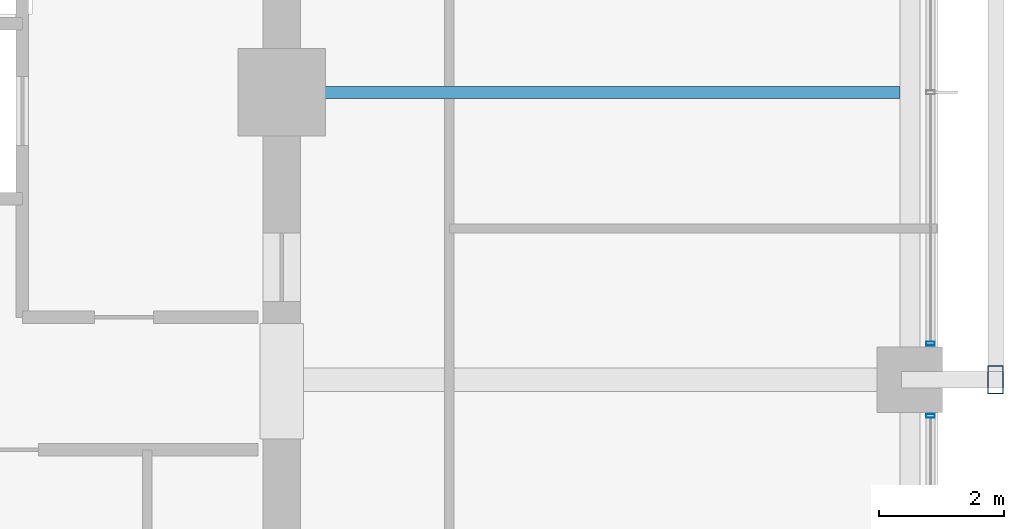
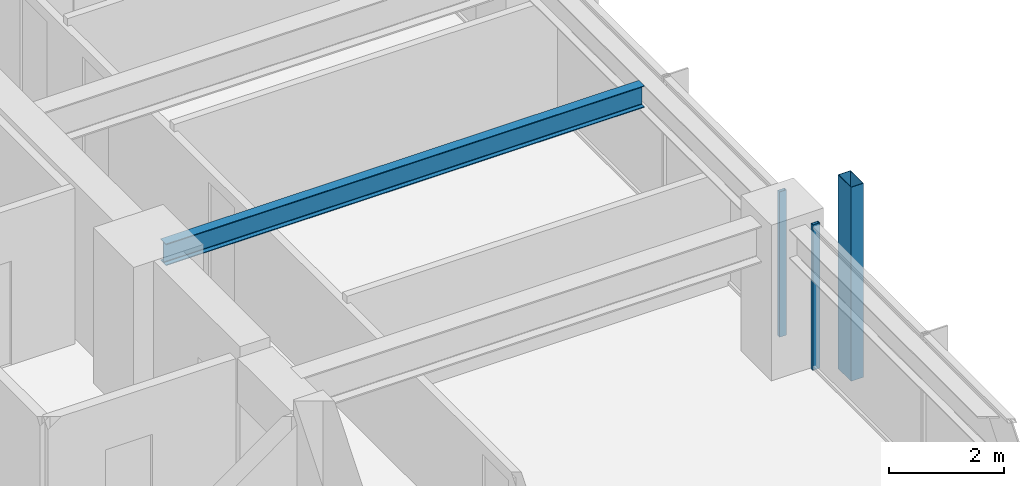
# One storey, part 15 of 38: 3 members, 1 beam, 2 elements without a shape of their own.
"""IFC4 building model written with IfcOpenShell, lengths in metres."""

import ifcopenshell
import ifcopenshell.guid

model = None  # the IFC model being written
_history = None  # IfcOwnerHistory: only IFC2X3 demands one
_inside = {}  # id of a spatial element -> (the spatial element, [elements in it])
_under = {}  # id of a project, library or spatial element -> (it, [spatial elements below it])
_declared = {}  # id of a project -> (the project, [libraries it declares])
_typed = {}  # id of a type object -> (the type object, [elements of that type])
_made_of = {}  # id of a material, layer set ... -> (it, [elements and type objects made of it])


def new_model(schema):
    """Start an empty IFC model of exactly this schema.

    Asked for "IFC4X3", IfcOpenShell would pick the latest addendum, in which some entities
    have other attributes; the version numbers below select the first issue.
    IFC2X3 requires an IfcOwnerHistory on every rooted entity: one is made here for all.
    """
    global model, _history
    if schema == "IFC4X3":
        model = ifcopenshell.file(schema_version=(4, 3, 0, 0))
    else:
        model = ifcopenshell.file(schema=schema)
    _inside.clear()
    _under.clear()
    _declared.clear()
    _typed.clear()
    _made_of.clear()
    _history = None
    if model.schema == "IFC2X3":
        org = make("IfcOrganization", Name="unknown")
        user = make(
            "IfcPersonAndOrganization",
            ThePerson=make("IfcPerson", FamilyName="unknown"),
            TheOrganization=org,
        )
        app = make(
            "IfcApplication",
            ApplicationDeveloper=org,
            Version="unknown",
            ApplicationFullName="unknown",
            ApplicationIdentifier="unknown",
        )
        _history = make(
            "IfcOwnerHistory",
            OwningUser=user,
            OwningApplication=app,
            ChangeAction="ADDED",
            CreationDate=0,
        )
    return model


def make(cls, **values):
    """One entity of the class cls with the attributes given. An attribute that is None is left unset."""
    return model.create_entity(
        cls, **{name: value for name, value in values.items() if value is not None}
    )


def rooted(cls, **values):
    """An entity with a GlobalId (a new one), such as an element, a storey or a relation."""
    return make(cls, GlobalId=ifcopenshell.guid.new(), OwnerHistory=_history, **values)


def si_unit(unit_type, name, prefix=None):
    """IfcSIUnit, for example si_unit("LENGTHUNIT", "METRE", prefix="MILLI")."""
    return make("IfcSIUnit", UnitType=unit_type, Prefix=prefix, Name=name)


def assignment(units):
    """IfcUnitAssignment: the units of a project."""
    return None if units is None else make("IfcUnitAssignment", Units=units)


def point(xyz):
    """IfcCartesianPoint."""
    return None if xyz is None else make("IfcCartesianPoint", Coordinates=xyz)


def direction(xyz):
    """IfcDirection."""
    return None if xyz is None else make("IfcDirection", DirectionRatios=xyz)


def frame(location, z_axis=None, x_axis=None):
    """IfcAxis2Placement3D, a coordinate frame: its origin and axes. An axis left out is left unset."""
    return make(
        "IfcAxis2Placement3D",
        Location=point(location),
        Axis=direction(z_axis),
        RefDirection=direction(x_axis),
    )


def frame_2d(location, x_axis=None):
    """IfcAxis2Placement2D, a coordinate frame in the plane: its origin and x axis."""
    return make(
        "IfcAxis2Placement2D", Location=point(location), RefDirection=direction(x_axis)
    )


def origin():
    """The frame at (0, 0, 0) with its axes left unset."""
    return frame((0.0, 0.0, 0.0))


def origin_2d():
    """The frame at (0, 0) in the plane with its x axis left unset."""
    return frame_2d((0.0, 0.0))


def place(relative_to, where):
    """IfcLocalPlacement: puts the frame where relative to a parent placement (None: the world)."""
    return make(
        "IfcLocalPlacement", PlacementRelTo=relative_to, RelativePlacement=where
    )


def context(
    kind, dimensions, precision=None, world=None, true_north=None, identifier=None
):
    """IfcGeometricRepresentationContext, for example the 3D "Model" context."""
    return make(
        "IfcGeometricRepresentationContext",
        ContextIdentifier=identifier,
        ContextType=kind,
        CoordinateSpaceDimension=dimensions,
        Precision=precision,
        WorldCoordinateSystem=world,
        TrueNorth=true_north,
    )


def subcontext(parent, identifier, kind, view, scale=None):
    """IfcGeometricRepresentationSubContext, for example "Body" below "Model"."""
    return make(
        "IfcGeometricRepresentationSubContext",
        ContextIdentifier=identifier,
        ContextType=kind,
        ParentContext=parent,
        TargetScale=scale,
        TargetView=view,
    )


def project(units=None, contexts=None):
    """IfcProject with its units and contexts."""
    return rooted(
        "IfcProject",
        Name="project",
        RepresentationContexts=contexts,
        UnitsInContext=assignment(units),
    )


def spatial(cls, under=None, at=None, **own):
    """A site, building, storey or space (cls), placed at a placement, below another one or the project."""
    s = rooted(cls, ObjectPlacement=at, **own)
    if under is not None:
        _under.setdefault(under.id(), (under, []))[1].append(s)
    return s


def profile(cls, at=None, kind="AREA", **sizes):
    """A parametric profile (cls). Its sizes go by their IFC names, for example OverallWidth=200.0."""
    return make(cls, ProfileType=kind, Position=at, **sizes)


def hollow_rectangle(**sizes):
    """IfcRectangleHollowProfileDef."""
    return profile("IfcRectangleHollowProfileDef", **sizes)


def i_section(**sizes):
    """IfcIShapeProfileDef."""
    return profile("IfcIShapeProfileDef", **sizes)


def extrude(swept, where, along, depth):
    """IfcExtrudedAreaSolid: the profile swept, set in the frame where, extruded along a direction by depth."""
    return make(
        "IfcExtrudedAreaSolid",
        SweptArea=swept,
        Position=where,
        ExtrudedDirection=direction(along),
        Depth=depth,
    )


def shape(context_of_items, identifier, shape_type, items):
    """IfcShapeRepresentation: the items that make up one representation, for example the "Body"."""
    return make(
        "IfcShapeRepresentation",
        ContextOfItems=context_of_items,
        RepresentationIdentifier=identifier,
        RepresentationType=shape_type,
        Items=items,
    )


def material(Name=None, Category=None):
    """IfcMaterial."""
    return make("IfcMaterial", Name=Name, Category=Category)


def material_profile(
    of_material, cross_section, Name=None, Category=None, Priority=None
):
    """IfcMaterialProfile: a cross section and its material."""
    return make(
        "IfcMaterialProfile",
        Name=Name,
        Material=of_material,
        Profile=cross_section,
        Priority=Priority,
        Category=Category,
    )


def profile_set(profiles, Name=None, composite=None):
    """IfcMaterialProfileSet."""
    return make(
        "IfcMaterialProfileSet",
        Name=Name,
        MaterialProfiles=profiles,
        CompositeProfile=composite,
    )


def made_of(thing, what):
    """Note that an element or type object is made of a material, layer set ...; save() writes the relation."""
    if what is not None:
        _made_of.setdefault(what.id(), (what, []))[1].append(thing)
    return thing


def type_object(cls, material=None, **own):
    """A type object (cls), such as IfcWallType, which elements share."""
    return made_of(rooted(cls, **own), material)


def element(
    cls,
    number,
    at=None,
    inside=None,
    cuts=None,
    type_object=None,
    material=None,
    context=None,
    identifier="Body",
    shape_type=None,
    held_by="IfcProductDefinitionShape",
    body=None,
    shapes=None,
    **own,
):
    """One element of the class cls, such as IfcWall. Its Tag is "e" and its number.

    at: its placement. inside: the storey or other place that contains it. cuts: it is an
    opening in that element (IfcRelVoidsElement). A single representation is given by context,
    identifier, shape_type and body (its items); several are given by shapes. held_by: the class
    of the entity that holds the representations. save() writes the other relations.
    """
    e = rooted(cls, Tag="e%d" % number, ObjectPlacement=at, **own)
    if body is not None:
        shapes = [shape(context, identifier, shape_type, body)]
    if shapes is not None:
        e.Representation = make(held_by, Representations=shapes)
    if inside is not None:
        _inside.setdefault(inside.id(), (inside, []))[1].append(e)
    if cuts is not None:
        rooted(
            "IfcRelVoidsElement", RelatingBuildingElement=cuts, RelatedOpeningElement=e
        )
    if type_object is not None:
        _typed.setdefault(type_object.id(), (type_object, []))[1].append(e)
    return made_of(e, material)


def aggregate(whole, parts):
    """IfcRelAggregates: a whole, such as a stair, and the parts it consists of."""
    return rooted("IfcRelAggregates", RelatingObject=whole, RelatedObjects=parts)


def save(model, path):
    """Write the relations noted so far, then the file.

    IfcRelAggregates (storeys below a building ...), IfcRelContainedInSpatialStructure (elements
    in a storey), IfcRelDefinesByType, IfcRelAssociatesMaterial and IfcRelDeclares: one each for
    every whole, place, type object, material and project.
    """
    for whole, parts in _under.values():
        aggregate(whole, parts)
    for where, things in _inside.values():
        rooted(
            "IfcRelContainedInSpatialStructure",
            RelatedElements=things,
            RelatingStructure=where,
        )
    for kind, things in _typed.values():
        rooted("IfcRelDefinesByType", RelatedObjects=things, RelatingType=kind)
    for what, things in _made_of.values():
        rooted("IfcRelAssociatesMaterial", RelatedObjects=things, RelatingMaterial=what)
    for by, libraries in _declared.values():
        rooted("IfcRelDeclares", RelatingContext=by, RelatedDefinitions=libraries)
    model.write(path)


model = new_model("IFC4")

# Units and contexts
model_context = context("Model", 3, precision=1e-05, world=origin(), true_north=direction((0.0, 1.0)))
body_context = subcontext(model_context, "Body", "Model", "MODEL_VIEW")
ifc_project = project(units=[si_unit("LENGTHUNIT", "METRE"), si_unit("AREAUNIT", "SQUARE_METRE"), si_unit("VOLUMEUNIT", "CUBIC_METRE"), si_unit("PLANEANGLEUNIT", "RADIAN"), si_unit("MASSUNIT", "GRAM", prefix="KILO")], contexts=[model_context])

# Site, building, storey
site_placement = place(None, origin())
site = spatial("IfcSite", under=ifc_project, at=site_placement, CompositionType="ELEMENT")
building_placement = place(site_placement, origin())
building = spatial("IfcBuilding", under=site, at=building_placement, Name="Kolvaren Belvedere", CompositionType="ELEMENT")
storey_placement = place(building_placement, frame((0.0, 0.0, 72.199951171875)))
storey = spatial("IfcBuildingStorey", under=building, at=storey_placement, Name="L20", CompositionType="ELEMENT", Elevation=72.199951171875)

# Beam
ifc_material_1 = material(Name="Structural steel ASTM A992 Grade 50", Category="steel")
ifc_material_profile_1 = material_profile(ifc_material_1, i_section(OverallWidth=0.19091796875, OverallDepth=0.4599609375, WebThickness=0.010009765625, FlangeThickness=0.01611328125, FilletRadius=0.014892578125, at=origin_2d()), Name="W18X55")
ifc_profile_set_1 = profile_set([ifc_material_profile_1], Name="Structural steel ASTM A992 Grade 50")
beam_type = type_object("IfcBeamType", Name="BM-JOIST-W18X55", PredefinedType="BEAM", material=ifc_profile_set_1)
beam_placement = place(storey_placement, frame((10.199951171875, 0.0, 2.85009765625), z_axis=(1.0, 0.0, 0.0), x_axis=(0.0, 1.0, 0.0)))
element("IfcBeam", 1, at=beam_placement, inside=storey, type_object=beam_type, Name="L20 East Centre Floor Beam", PredefinedType="BEAM", context=body_context, shape_type="SweptSolid", body=[
    extrude(i_section(OverallWidth=0.19091796875, OverallDepth=0.4599609375, WebThickness=0.010009765625, FlangeThickness=0.01611328125, FilletRadius=0.014892578125, at=origin_2d()), origin(), (0.0, 0.0, 1.0), 9.587646484375),
])

# Curtain wall, member
ifc_material_2 = material(Name="Anodised pale-metal aluminium AA 6063-T6", Category="aluminium")
curtain_wall_type = type_object("IfcCurtainWallType", Name="CW-Z2-MID", PredefinedType="NOTDEFINED", material=ifc_material_2)
curtain_wall_1_placement = place(storey_placement, origin())
curtain_wall_1 = element("IfcCurtainWall", 2, at=curtain_wall_1_placement, inside=storey, type_object=curtain_wall_type, Name="L20 Unitised Curtain Wall FCW-L20-E-B2", PredefinedType="NOTDEFINED")
ifc_material_3 = material(Name="Anodised pale-metal aluminium AA 6063-T6", Category="aluminium")
ifc_material_profile_2 = material_profile(ifc_material_3, hollow_rectangle(XDim=0.06494140625, YDim=0.139892578125, WallThickness=0.00390625, at=origin_2d()), Name="ALU-MUL-140X65")
ifc_profile_set_2 = profile_set([ifc_material_profile_2], Name="Anodised pale-metal aluminium AA 6063-T6")
member_type_1 = type_object("IfcMemberType", Name="CW-MUL-140", PredefinedType="MULLION", material=ifc_profile_set_2)
member_1_placement = place(storey_placement, frame((20.280029296875, -4.0224609375, 0.0), z_axis=(0.0, 0.0, 1.0), x_axis=(0.0, 1.0, 0.0)))
member_1 = element("IfcMember", 3, at=member_1_placement, type_object=member_type_1, Name="FCW-L20-E-B2 Unitised Mullion 3", PredefinedType="MULLION", context=body_context, shape_type="SweptSolid", body=[
    extrude(hollow_rectangle(XDim=0.06494140625, YDim=0.139892578125, WallThickness=0.00390625, at=origin_2d()), origin(), (0.0, 0.0, 1.0), 3.080078125),
])
aggregate(curtain_wall_1, [member_1])

curtain_wall_2_placement = place(storey_placement, origin())
curtain_wall_2 = element("IfcCurtainWall", 4, at=curtain_wall_2_placement, inside=storey, type_object=curtain_wall_type, Name="L20 Unitised Curtain Wall FCW-L20-E-B3", PredefinedType="NOTDEFINED")
member_2_placement = place(storey_placement, frame((20.280029296875, -5.177490234375, 0.0), z_axis=(0.0, 0.0, 1.0), x_axis=(0.0, 1.0, 0.0)))
member_2 = element("IfcMember", 5, at=member_2_placement, type_object=member_type_1, Name="FCW-L20-E-B3 Unitised Mullion 1", PredefinedType="MULLION", context=body_context, shape_type="SweptSolid", body=[
    extrude(hollow_rectangle(XDim=0.06494140625, YDim=0.139892578125, WallThickness=0.00390625, at=origin_2d()), origin(), (0.0, 0.0, 1.0), 3.080078125),
])
aggregate(curtain_wall_2, [member_2])

# Member
ifc_material_4 = material(Name="Anodised pale-metal aluminium AA 6063-T6", Category="aluminium")
ifc_material_profile_3 = material_profile(ifc_material_4, hollow_rectangle(XDim=0.25, YDim=0.449951171875, WallThickness=0.008544921875, at=origin_2d()), Name="ALU-PF-450X250")
ifc_profile_set_3 = profile_set([ifc_material_profile_3], Name="Anodised pale-metal aluminium AA 6063-T6")
member_type_2 = type_object("IfcMemberType", Name="PF-FRAME-450", PredefinedType="USERDEFINED", material=ifc_profile_set_3)
member_3_placement = place(storey_placement, frame((21.320068359375, -4.60009765625, -0.81005859375), z_axis=(0.0, 0.0, 1.0), x_axis=(1.0, 0.0, 0.0)))
element("IfcMember", 6, at=member_3_placement, inside=storey, type_object=member_type_2, Name="L20 Outboard Picture-Frame Vertical E2", ObjectType="PICTURE FRAME FIN", PredefinedType="USERDEFINED", context=body_context, shape_type="SweptSolid", body=[
    extrude(hollow_rectangle(XDim=0.25, YDim=0.449951171875, WallThickness=0.008544921875, at=origin_2d()), origin(), (0.0, 0.0, 1.0), 4.110107421875),
])

save(model, "model.ifc")
